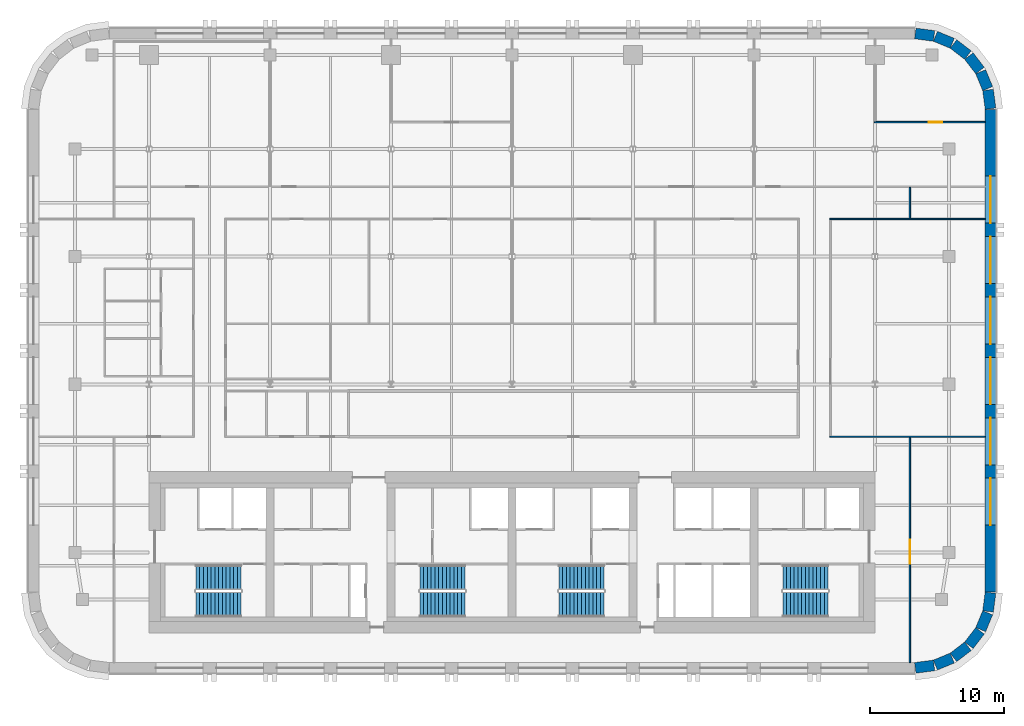
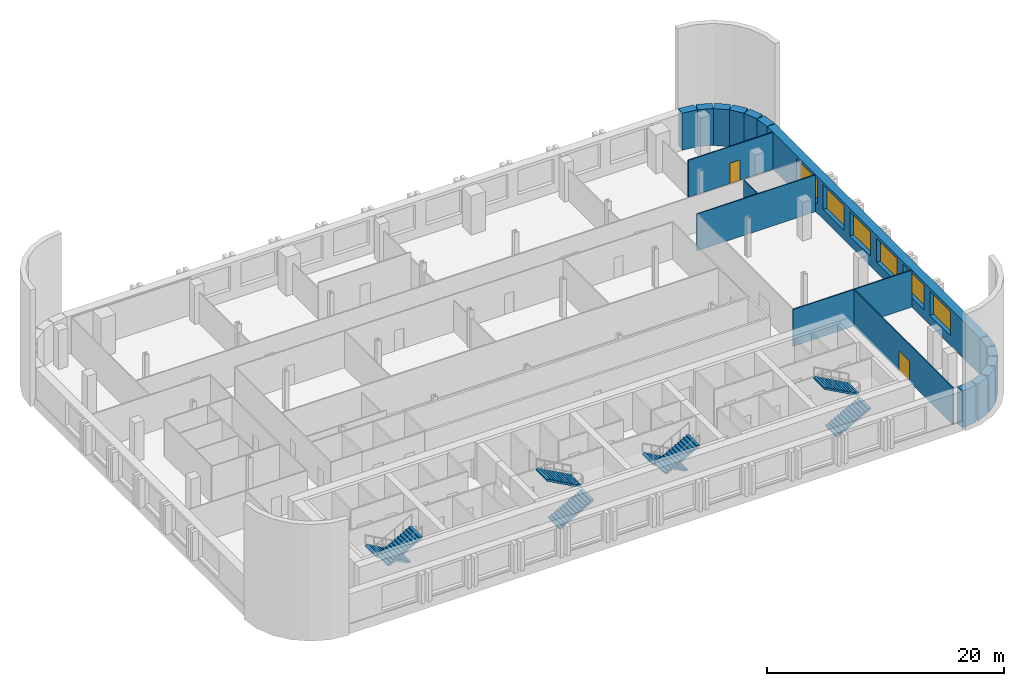
# One storey, part 7 of 9: 18 walls, 8 stair flights, 6 windows, 2 doors, 8 openings, 4 elements without a shape of their own.
"""IFC4 building model written with IfcOpenShell, lengths in metres."""

from ifc_helpers import new_model, si_unit, direction, frame, frame_2d, origin, place, context, subcontext, project, spatial, polyline, rectangle, outline, extrude, material, layer, layer_set, type_object, element, fill, aggregate, save


model = new_model("IFC4")

# Units and contexts
model_context = context("Model", 3, precision=1e-05, world=origin(), true_north=direction((0.0, 1.0)))
body_context = subcontext(model_context, "Body", "Model", "MODEL_VIEW")
ifc_project = project(units=[si_unit("LENGTHUNIT", "METRE"), si_unit("AREAUNIT", "SQUARE_METRE"), si_unit("VOLUMEUNIT", "CUBIC_METRE"), si_unit("PLANEANGLEUNIT", "RADIAN"), si_unit("MASSUNIT", "GRAM", prefix="KILO")], contexts=[model_context])

# Site, building, storey
site_placement = place(None, origin())
site = spatial("IfcSite", under=ifc_project, at=site_placement, CompositionType="ELEMENT")
building_placement = place(site_placement, origin())
building = spatial("IfcBuilding", under=site, at=building_placement, Name="Zellij Exchange Tower", CompositionType="ELEMENT")
storey_placement = place(building_placement, frame((0.0, 0.0, 176.5)))
storey = spatial("IfcBuildingStorey", under=building, at=storey_placement, Name="L40", CompositionType="ELEMENT", Elevation=176.5)

# Walls
ifc_material_1 = material(Name="Precast concrete C40/50", Category="concrete")
ifc_layer_1 = layer(ifc_material_1, 0.800048828125)
ifc_layer_set_1 = layer_set([ifc_layer_1], Name="Precast concrete C40/50")
wall_type_1 = type_object("IfcWallType", Name="ENV-EW1 Precast stone-piered wall 800", PredefinedType="SOLIDWALL", material=ifc_layer_set_1)
wall_1_placement = place(storey_placement, frame((29.999755859375, -16.5966796875, 0.0), z_axis=(0.0, 0.0, 1.0), x_axis=(0.99144603414, 0.130517283865, 0.0)))
element("IfcWall", 1, at=wall_1_placement, inside=storey, type_object=wall_type_1, Name="fac.L40.01", PredefinedType="SOLIDWALL", context=body_context, shape_type="SweptSolid", body=[
    extrude(rectangle(XDim=1.408447265625, YDim=0.800048828125, at=frame_2d((0.7041015625, 0.0))), origin(), (0.0, 0.0, 1.0), 3.800048828125),
])
wall_2_placement = place(storey_placement, frame((31.497314453125, -16.3857421875, 0.0), z_axis=(0.0, 0.0, 1.0), x_axis=(0.923847774587, 0.38276009378, 0.0)))
element("IfcWall", 2, at=wall_2_placement, inside=storey, type_object=wall_type_1, Name="fac.L40.02", PredefinedType="SOLIDWALL", context=body_context, shape_type="SweptSolid", body=[
    extrude(rectangle(XDim=1.35546875, YDim=0.800048828125, at=frame_2d((0.677734375, 0.0))), origin(), (0.0, 0.0, 1.0), 3.800048828125),
])
for number, where, z_axis, x_axis, name in (
    (3, (32.840087890625, -15.814697265625, 0.0), (0.0, 0.0, 1.0), (0.793272915452, 0.608866226366, 0.0), "fac.L40.03"),
    (4, (33.9892578125, -14.91552734375, 0.0), (0.0, 0.0, 1.0), (0.608866226366, 0.793272915452, 0.0), "fac.L40.04"),
):
    element("IfcWall", number, at=place(storey_placement, frame(where, z_axis=z_axis, x_axis=x_axis)), inside=storey, type_object=wall_type_1, Name=name, PredefinedType="SOLIDWALL", context=body_context, shape_type="SweptSolid", body=[
        extrude(rectangle(XDim=1.355712890625, YDim=0.800048828125, at=frame_2d((0.677734375, 0.0))), origin(), (0.0, 0.0, 1.0), 3.800048828125),
    ])
wall_3_placement = place(storey_placement, frame((34.866943359375, -13.74951171875, 0.0), z_axis=(0.0, 0.0, 1.0), x_axis=(0.38276009378, 0.923847774587, 0.0)))
element("IfcWall", 5, at=wall_3_placement, inside=storey, type_object=wall_type_1, Name="fac.L40.05", PredefinedType="SOLIDWALL", context=body_context, shape_type="SweptSolid", body=[
    extrude(rectangle(XDim=1.35546875, YDim=0.800048828125, at=frame_2d((0.677734375, 0.0))), origin(), (0.0, 0.0, 1.0), 3.800048828125),
])
wall_4_placement = place(storey_placement, frame((35.412841796875, -12.396240234375, 0.0), z_axis=(0.0, 0.0, 1.0), x_axis=(0.130517283865, 0.99144603414, 0.0)))
element("IfcWall", 6, at=wall_4_placement, inside=storey, type_object=wall_type_1, Name="fac.L40.06", PredefinedType="SOLIDWALL", context=body_context, shape_type="SweptSolid", body=[
    extrude(rectangle(XDim=1.408447265625, YDim=0.800048828125, at=frame_2d((0.7041015625, 0.0))), origin(), (0.0, 0.0, 1.0), 3.800048828125),
])

# Wall, openings, windows
wall_5_placement = place(storey_placement, frame((35.60009765625, -10.947509765625, 0.0), z_axis=(0.0, 0.0, 1.0), x_axis=(0.0, 1.0, 0.0)))
wall_5 = element("IfcWall", 7, at=wall_5_placement, inside=storey, type_object=wall_type_1, Name="fac.L40.07", PredefinedType="SOLIDWALL", context=body_context, shape_type="SweptSolid", body=[
    extrude(rectangle(XDim=35.89501953125, YDim=0.800048828125, at=frame_2d((17.947509765625, 0.0))), origin(), (0.0, 0.0, 1.0), 3.800048828125),
])
opening_1_placement = place(wall_5_placement, frame((4.9638671875, 0.0, 1.0)))
opening_1 = element("IfcOpeningElement", 8, at=opening_1_placement, cuts=wall_5, Name="Opening FZ3.13", PredefinedType="OPENING", context=body_context, shape_type="SweptSolid", body=[
    extrude(rectangle(XDim=3.5, YDim=2.5, at=frame_2d((1.75, 1.25))), frame((0.0, 0.412109375, 0.0), z_axis=(0.0, -1.0, 0.0), x_axis=(1.0, 0.0, 0.0)), (0.0, 0.0, 1.0), 0.823974609375),
])
opening_2_placement = place(wall_5_placement, frame((9.45751953125, 0.0, 1.0)))
opening_2 = element("IfcOpeningElement", 9, at=opening_2_placement, cuts=wall_5, Name="Opening FZ3.14", PredefinedType="OPENING", context=body_context, shape_type="SweptSolid", body=[
    extrude(rectangle(XDim=3.5, YDim=2.5, at=frame_2d((1.75, 1.25))), frame((0.0, 0.412109375, 0.0), z_axis=(0.0, -1.0, 0.0), x_axis=(1.0, 0.0, 0.0)), (0.0, 0.0, 1.0), 0.823974609375),
])
opening_3_placement = place(wall_5_placement, frame((13.950927734375, 0.0, 1.0)))
opening_3 = element("IfcOpeningElement", 10, at=opening_3_placement, cuts=wall_5, Name="Opening FZ3.15", PredefinedType="OPENING", context=body_context, shape_type="SweptSolid", body=[
    extrude(rectangle(XDim=3.5, YDim=2.5, at=frame_2d((1.75, 1.25))), frame((0.0, 0.412109375, 0.0), z_axis=(0.0, -1.0, 0.0), x_axis=(1.0, 0.0, 0.0)), (0.0, 0.0, 1.0), 0.823974609375),
])
opening_4_placement = place(wall_5_placement, frame((18.4443359375, 0.0, 1.0)))
opening_4 = element("IfcOpeningElement", 11, at=opening_4_placement, cuts=wall_5, Name="Opening FZ3.16", PredefinedType="OPENING", context=body_context, shape_type="SweptSolid", body=[
    extrude(rectangle(XDim=3.5, YDim=2.5, at=frame_2d((1.75, 1.25))), frame((0.0, 0.412109375, 0.0), z_axis=(0.0, -1.0, 0.0), x_axis=(1.0, 0.0, 0.0)), (0.0, 0.0, 1.0), 0.823974609375),
])
opening_5_placement = place(wall_5_placement, frame((22.937744140625, 0.0, 1.0)))
opening_5 = element("IfcOpeningElement", 12, at=opening_5_placement, cuts=wall_5, Name="Opening FZ3.17", PredefinedType="OPENING", context=body_context, shape_type="SweptSolid", body=[
    extrude(rectangle(XDim=3.5, YDim=2.5, at=frame_2d((1.75, 1.25))), frame((0.0, 0.412109375, 0.0), z_axis=(0.0, -1.0, 0.0), x_axis=(1.0, 0.0, 0.0)), (0.0, 0.0, 1.0), 0.823974609375),
])
opening_6_placement = place(wall_5_placement, frame((27.43115234375, 0.0, 1.0)))
opening_6 = element("IfcOpeningElement", 13, at=opening_6_placement, cuts=wall_5, Name="Opening FZ3.18", PredefinedType="OPENING", context=body_context, shape_type="SweptSolid", body=[
    extrude(rectangle(XDim=3.5, YDim=2.5, at=frame_2d((1.75, 1.25))), frame((0.0, 0.412109375, 0.0), z_axis=(0.0, -1.0, 0.0), x_axis=(1.0, 0.0, 0.0)), (0.0, 0.0, 1.0), 0.823974609375),
])
ifc_material_2 = material(Name="Aluminium frame with insulating glass", Category="aluminium")
window_type = type_object("IfcWindowType", Name="ENV-W1 Window 3500x2500", PartitioningType="SINGLE_PANEL", PredefinedType="WINDOW", material=ifc_material_2)
window_1_placement = place(opening_1_placement, origin())
window_1 = element("IfcWindow", 14, at=window_1_placement, inside=storey, type_object=window_type, Name="Window FZ3.13", OverallHeight=2.5, OverallWidth=3.5, PartitioningType="SINGLE_PANEL", PredefinedType="WINDOW", context=body_context, shape_type="SweptSolid", body=[
    extrude(rectangle(XDim=3.5, YDim=2.5, at=frame_2d((1.75, 1.25))), frame((0.0, 0.030029296875, 0.0), z_axis=(0.0, -1.0, 0.0), x_axis=(1.0, 0.0, 0.0)), (0.0, 0.0, 1.0), 0.06005859375),
])
fill(opening_1, window_1)
window_2_placement = place(opening_2_placement, origin())
window_2 = element("IfcWindow", 15, at=window_2_placement, inside=storey, type_object=window_type, Name="Window FZ3.14", OverallHeight=2.5, OverallWidth=3.5, PartitioningType="SINGLE_PANEL", PredefinedType="WINDOW", context=body_context, shape_type="SweptSolid", body=[
    extrude(rectangle(XDim=3.5, YDim=2.5, at=frame_2d((1.75, 1.25))), frame((0.0, 0.030029296875, 0.0), z_axis=(0.0, -1.0, 0.0), x_axis=(1.0, 0.0, 0.0)), (0.0, 0.0, 1.0), 0.06005859375),
])
fill(opening_2, window_2)
window_3_placement = place(opening_3_placement, origin())
window_3 = element("IfcWindow", 16, at=window_3_placement, inside=storey, type_object=window_type, Name="Window FZ3.15", OverallHeight=2.5, OverallWidth=3.5, PartitioningType="SINGLE_PANEL", PredefinedType="WINDOW", context=body_context, shape_type="SweptSolid", body=[
    extrude(rectangle(XDim=3.5, YDim=2.5, at=frame_2d((1.75, 1.25))), frame((0.0, 0.030029296875, 0.0), z_axis=(0.0, -1.0, 0.0), x_axis=(1.0, 0.0, 0.0)), (0.0, 0.0, 1.0), 0.06005859375),
])
fill(opening_3, window_3)
window_4_placement = place(opening_4_placement, origin())
window_4 = element("IfcWindow", 17, at=window_4_placement, inside=storey, type_object=window_type, Name="Window FZ3.16", OverallHeight=2.5, OverallWidth=3.5, PartitioningType="SINGLE_PANEL", PredefinedType="WINDOW", context=body_context, shape_type="SweptSolid", body=[
    extrude(rectangle(XDim=3.5, YDim=2.5, at=frame_2d((1.75, 1.25))), frame((0.0, 0.030029296875, 0.0), z_axis=(0.0, -1.0, 0.0), x_axis=(1.0, 0.0, 0.0)), (0.0, 0.0, 1.0), 0.06005859375),
])
fill(opening_4, window_4)
window_5_placement = place(opening_5_placement, origin())
window_5 = element("IfcWindow", 18, at=window_5_placement, inside=storey, type_object=window_type, Name="Window FZ3.17", OverallHeight=2.5, OverallWidth=3.5, PartitioningType="SINGLE_PANEL", PredefinedType="WINDOW", context=body_context, shape_type="SweptSolid", body=[
    extrude(rectangle(XDim=3.5, YDim=2.5, at=frame_2d((1.75, 1.25))), frame((0.0, 0.030029296875, 0.0), z_axis=(0.0, -1.0, 0.0), x_axis=(1.0, 0.0, 0.0)), (0.0, 0.0, 1.0), 0.06005859375),
])
fill(opening_5, window_5)
window_6_placement = place(opening_6_placement, origin())
window_6 = element("IfcWindow", 19, at=window_6_placement, inside=storey, type_object=window_type, Name="Window FZ3.18", OverallHeight=2.5, OverallWidth=3.5, PartitioningType="SINGLE_PANEL", PredefinedType="WINDOW", context=body_context, shape_type="SweptSolid", body=[
    extrude(rectangle(XDim=3.5, YDim=2.5, at=frame_2d((1.75, 1.25))), frame((0.0, 0.030029296875, 0.0), z_axis=(0.0, -1.0, 0.0), x_axis=(1.0, 0.0, 0.0)), (0.0, 0.0, 1.0), 0.06005859375),
])
fill(opening_6, window_6)

# Walls
wall_6_placement = place(storey_placement, frame((35.5966796875, 24.999755859375, 0.0), z_axis=(0.0, 0.0, 1.0), x_axis=(-0.130517283865, 0.99144603414, 0.0)))
element("IfcWall", 20, at=wall_6_placement, inside=storey, type_object=wall_type_1, Name="fac.L40.08", PredefinedType="SOLIDWALL", context=body_context, shape_type="SweptSolid", body=[
    extrude(rectangle(XDim=1.408447265625, YDim=0.800048828125, at=frame_2d((0.7041015625, 0.0))), origin(), (0.0, 0.0, 1.0), 3.800048828125),
])
wall_7_placement = place(storey_placement, frame((35.3857421875, 26.497314453125, 0.0), z_axis=(0.0, 0.0, 1.0), x_axis=(-0.38276009378, 0.923847774587, 0.0)))
element("IfcWall", 21, at=wall_7_placement, inside=storey, type_object=wall_type_1, Name="fac.L40.09", PredefinedType="SOLIDWALL", context=body_context, shape_type="SweptSolid", body=[
    extrude(rectangle(XDim=1.35546875, YDim=0.800048828125, at=frame_2d((0.677734375, 0.0))), origin(), (0.0, 0.0, 1.0), 3.800048828125),
])
for number, where, z_axis, x_axis, name in (
    (22, (34.814697265625, 27.840087890625, 0.0), (0.0, 0.0, 1.0), (-0.608866226366, 0.793272915452, 0.0), "fac.L40.10"),
    (23, (33.91552734375, 28.9892578125, 0.0), (0.0, 0.0, 1.0), (-0.793272915452, 0.608866226366, 0.0), "fac.L40.11"),
):
    element("IfcWall", number, at=place(storey_placement, frame(where, z_axis=z_axis, x_axis=x_axis)), inside=storey, type_object=wall_type_1, Name=name, PredefinedType="SOLIDWALL", context=body_context, shape_type="SweptSolid", body=[
        extrude(rectangle(XDim=1.355712890625, YDim=0.800048828125, at=frame_2d((0.677734375, 0.0))), origin(), (0.0, 0.0, 1.0), 3.800048828125),
    ])
wall_8_placement = place(storey_placement, frame((32.74951171875, 29.866943359375, 0.0), z_axis=(0.0, 0.0, 1.0), x_axis=(-0.923847774587, 0.38276009378, 0.0)))
element("IfcWall", 24, at=wall_8_placement, inside=storey, type_object=wall_type_1, Name="fac.L40.12", PredefinedType="SOLIDWALL", context=body_context, shape_type="SweptSolid", body=[
    extrude(rectangle(XDim=1.35546875, YDim=0.800048828125, at=frame_2d((0.677734375, 0.0))), origin(), (0.0, 0.0, 1.0), 3.800048828125),
])
wall_9_placement = place(storey_placement, frame((31.396240234375, 30.412841796875, 0.0), z_axis=(0.0, 0.0, 1.0), x_axis=(-0.99144603414, 0.130517283865, 0.0)))
element("IfcWall", 25, at=wall_9_placement, inside=storey, type_object=wall_type_1, Name="fac.L40.13", PredefinedType="SOLIDWALL", context=body_context, shape_type="SweptSolid", body=[
    extrude(rectangle(XDim=1.408447265625, YDim=0.800048828125, at=frame_2d((0.7041015625, 0.0))), origin(), (0.0, 0.0, 1.0), 3.800048828125),
])

# Wall, opening, door
ifc_material_3 = material(Name="Gypsum board partition on steel studs", Category="steel")
ifc_layer_2 = layer(ifc_material_3, 0.10009765625)
ifc_layer_set_2 = layer_set([ifc_layer_2], Name="Gypsum board partition on steel studs")
wall_type_2 = type_object("IfcWallType", Name="FIT-PARTITION-100", PredefinedType="PARTITIONING", material=ifc_layer_set_2)
wall_10_placement = place(storey_placement, frame((29.60009765625, -16.199951171875, 0.0), z_axis=(0.0, 0.0, 1.0), x_axis=(0.0, 1.0, 0.0)))
wall_10 = element("IfcWall", 26, at=wall_10_placement, inside=storey, type_object=wall_type_2, Name="FIT-PARTITION-100 002", PredefinedType="PARTITIONING", context=body_context, shape_type="SweptSolid", body=[
    extrude(rectangle(XDim=16.75, YDim=0.10009765625, at=frame_2d((8.375, 0.0))), origin(), (0.0, 0.0, 1.0), 3.800048828125),
])
opening_7_placement = place(wall_10_placement, frame((7.35009765625, 0.0, 0.0)))
opening_7 = element("IfcOpeningElement", 27, at=opening_7_placement, cuts=wall_10, Name="Opening O3B.02", PredefinedType="OPENING", context=body_context, shape_type="SweptSolid", body=[
    extrude(rectangle(XDim=1.800048828125, YDim=2.10009765625, at=frame_2d((0.89990234375, 1.050048828125))), frame((0.0, 0.06201171875, 0.0), z_axis=(0.0, -1.0, 0.0), x_axis=(1.0, 0.0, 0.0)), (0.0, 0.0, 1.0), 0.1240234375),
])
ifc_material_4 = material(Name="Timber door set", Category="wood")
door_type_1 = type_object("IfcDoorType", Name="FIT-D3-DOUBLE-1800X2100", OperationType="DOUBLE_DOOR_SINGLE_SWING", PredefinedType="DOOR", material=ifc_material_4)
door_1_placement = place(opening_7_placement, origin())
door_1 = element("IfcDoor", 28, at=door_1_placement, inside=storey, type_object=door_type_1, Name="Door O3B.02", OperationType="DOUBLE_DOOR_SINGLE_SWING", OverallHeight=2.10009765625, OverallWidth=1.800048828125, PredefinedType="DOOR", context=body_context, shape_type="SweptSolid", body=[
    extrude(rectangle(XDim=1.800048828125, YDim=2.10009765625, at=frame_2d((0.89990234375, 1.050048828125))), frame((0.0, 0.02490234375, 0.0), z_axis=(0.0, -1.0, 0.0), x_axis=(1.0, 0.0, 0.0)), (0.0, 0.0, 1.0), 0.050048828125),
])
fill(opening_7, door_1)

# Walls
for number, where, z_axis, x_axis, name in (
    (29, (23.64990234375, 0.60009765625, 0.0), (0.0, 0.0, 1.0), (1.0, 0.0, 0.0), "FIT-PARTITION-100 013"),
    (30, (23.64990234375, 16.800048828125, 0.0), (0.0, 0.0, 1.0), (1.0, 0.0, 0.0), "FIT-PARTITION-100 035"),
):
    element("IfcWall", number, at=place(storey_placement, frame(where, z_axis=z_axis, x_axis=x_axis)), inside=storey, type_object=wall_type_2, Name=name, PredefinedType="PARTITIONING", context=body_context, shape_type="SweptSolid", body=[
        extrude(rectangle(XDim=11.550048828125, YDim=0.10009765625, at=frame_2d((5.77490234375, 0.0))), origin(), (0.0, 0.0, 1.0), 3.800048828125),
    ])
wall_11_placement = place(storey_placement, frame((29.60009765625, 16.85009765625, 0.0), z_axis=(0.0, 0.0, 1.0), x_axis=(0.0, 1.0, 0.0)))
element("IfcWall", 31, at=wall_11_placement, inside=storey, type_object=wall_type_2, Name="FIT-PARTITION-100 036", PredefinedType="PARTITIONING", context=body_context, shape_type="SweptSolid", body=[
    extrude(rectangle(XDim=2.2998046875, YDim=0.10009765625, at=frame_2d((1.14990234375, 0.0))), origin(), (0.0, 0.0, 1.0), 3.800048828125),
])

# Wall, opening, door
wall_12_placement = place(storey_placement, frame((26.949951171875, 24.0, 0.0), z_axis=(0.0, 0.0, 1.0), x_axis=(1.0, 0.0, 0.0)))
wall_12 = element("IfcWall", 32, at=wall_12_placement, inside=storey, type_object=wall_type_2, Name="FIT-PARTITION-100 050", PredefinedType="PARTITIONING", context=body_context, shape_type="SweptSolid", body=[
    extrude(rectangle(XDim=8.25, YDim=0.10009765625, at=frame_2d((4.125, 0.0))), origin(), (0.0, 0.0, 1.0), 3.800048828125),
])
opening_8_placement = place(wall_12_placement, frame((4.050048828125, 0.0, 0.0)))
opening_8 = element("IfcOpeningElement", 33, at=opening_8_placement, cuts=wall_12, Name="Opening O3B.24", PredefinedType="OPENING", context=body_context, shape_type="SweptSolid", body=[
    extrude(rectangle(XDim=1.0, YDim=2.10009765625, at=frame_2d((0.5, 1.050048828125))), frame((0.0, 0.06201171875, 0.0), z_axis=(0.0, -1.0, 0.0), x_axis=(1.0, 0.0, 0.0)), (0.0, 0.0, 1.0), 0.1240234375),
])
door_type_2 = type_object("IfcDoorType", Name="FIT-D2-WIDE-1000X2100", OperationType="SINGLE_SWING_LEFT", PredefinedType="DOOR", material=ifc_material_4)
door_2_placement = place(opening_8_placement, origin())
door_2 = element("IfcDoor", 34, at=door_2_placement, inside=storey, type_object=door_type_2, Name="Door O3B.24", OperationType="SINGLE_SWING_LEFT", OverallHeight=2.10009765625, OverallWidth=1.0, PredefinedType="DOOR", context=body_context, shape_type="SweptSolid", body=[
    extrude(rectangle(XDim=1.0, YDim=2.10009765625, at=frame_2d((0.5, 1.050048828125))), frame((0.0, 0.02490234375, 0.0), z_axis=(0.0, -1.0, 0.0), x_axis=(1.0, 0.0, 0.0)), (0.0, 0.0, 1.0), 0.050048828125),
])
fill(opening_8, door_2)

# Stair, stair flights
ifc_material_5 = material(Name="Concrete C40/50", Category="concrete")
stair_type = type_object("IfcStairType", Name="CORE-ST exit stair 1850 wide", PredefinedType="HALF_TURN_STAIR", material=ifc_material_5)
stair_1_placement = place(storey_placement, origin())
stair_1 = element("IfcStair", 35, at=stair_1_placement, inside=storey, type_object=stair_type, Name="L40 exit stair ST1", PredefinedType="HALF_TURN_STAIR")
stair_flight_type = type_object("IfcStairFlightType", Name="CORE-SF flight 1850 riser 153.8 going 280", PredefinedType="STRAIGHT", material=ifc_material_5)
stair_flight_1_placement = place(storey_placement, frame((-20.14990234375, -9.875, 0.0), z_axis=(0.0, 0.0, 1.0), x_axis=(-1.0, 0.0, 0.0)))
stair_flight_1 = element("IfcStairFlight", 36, at=stair_flight_1_placement, type_object=stair_flight_type, Name="ST1 flight 1", NumberOfRisers=13, NumberOfTreads=12, PredefinedType="STRAIGHT", RiserHeight=0.153846154, TreadLength=0.28, context=body_context, shape_type="SweptSolid", body=[
    extrude(outline(polyline([(0.0, 0.0), (0.0, 0.15380859375), (0.280029296875, 0.15380859375), (0.280029296875, 0.3076171875), (0.56005859375, 0.3076171875), (0.56005859375, 0.46142578125), (0.840087890625, 0.46142578125), (0.840087890625, 0.615478515625), (1.1201171875, 0.615478515625), (1.1201171875, 0.769287109375), (1.39990234375, 0.769287109375), (1.39990234375, 0.923095703125), (1.679931640625, 0.923095703125), (1.679931640625, 1.076904296875), (1.9599609375, 1.076904296875), (1.9599609375, 1.230712890625), (2.239990234375, 1.230712890625), (2.239990234375, 1.384521484375), (2.52001953125, 1.384521484375), (2.52001953125, 1.53857421875), (2.800048828125, 1.53857421875), (2.800048828125, 1.6923828125), (3.080078125, 1.6923828125), (3.080078125, 1.84619140625), (3.360107421875, 1.84619140625), (3.360107421875, 2.0), (3.360107421875, 1.675048828125), (0.311279296875, 0.0), (0.0, 0.0)])), frame((0.0, 0.925048828125, 0.0), z_axis=(0.0, -1.0, 0.0), x_axis=(1.0, 0.0, 0.0)), (0.0, 0.0, 1.0), 1.85009765625),
])
stair_flight_2_placement = place(storey_placement, frame((-23.510009765625, -11.875, 2.0), z_axis=(0.0, 0.0, 1.0), x_axis=(1.0, 0.0, 0.0)))
stair_flight_2 = element("IfcStairFlight", 37, at=stair_flight_2_placement, type_object=stair_flight_type, Name="ST1 flight 2", NumberOfRisers=13, NumberOfTreads=12, PredefinedType="STRAIGHT", RiserHeight=0.153846154, TreadLength=0.28, context=body_context, shape_type="SweptSolid", body=[
    extrude(outline(polyline([(0.0, 0.0), (0.0, 0.15380859375), (0.280029296875, 0.15380859375), (0.280029296875, 0.3076171875), (0.56005859375, 0.3076171875), (0.56005859375, 0.46142578125), (0.840087890625, 0.46142578125), (0.840087890625, 0.615478515625), (1.1201171875, 0.615478515625), (1.1201171875, 0.769287109375), (1.39990234375, 0.769287109375), (1.39990234375, 0.923095703125), (1.679931640625, 0.923095703125), (1.679931640625, 1.076904296875), (1.9599609375, 1.076904296875), (1.9599609375, 1.230712890625), (2.239990234375, 1.230712890625), (2.239990234375, 1.384521484375), (2.52001953125, 1.384521484375), (2.52001953125, 1.53857421875), (2.800048828125, 1.53857421875), (2.800048828125, 1.6923828125), (3.080078125, 1.6923828125), (3.080078125, 1.84619140625), (3.360107421875, 1.84619140625), (3.360107421875, 2.0), (3.360107421875, 1.675048828125), (0.311279296875, 0.0), (0.0, 0.0)])), frame((0.0, 0.925048828125, 0.0), z_axis=(0.0, -1.0, 0.0), x_axis=(1.0, 0.0, 0.0)), (0.0, 0.0, 1.0), 1.85009765625),
])
aggregate(stair_1, [stair_flight_1, stair_flight_2])

stair_2_placement = place(storey_placement, origin())
stair_2 = element("IfcStair", 38, at=stair_2_placement, inside=storey, type_object=stair_type, Name="L40 exit stair ST2", PredefinedType="HALF_TURN_STAIR")
stair_flight_3_placement = place(storey_placement, frame((-6.85009765625, -11.875, 0.0), z_axis=(0.0, 0.0, 1.0), x_axis=(1.0, 0.0, 0.0)))
stair_flight_3 = element("IfcStairFlight", 39, at=stair_flight_3_placement, type_object=stair_flight_type, Name="ST2 flight 1", NumberOfRisers=13, NumberOfTreads=12, PredefinedType="STRAIGHT", RiserHeight=0.153846154, TreadLength=0.28, context=body_context, shape_type="SweptSolid", body=[
    extrude(outline(polyline([(0.0, 0.0), (0.0, 0.15380859375), (0.280029296875, 0.15380859375), (0.280029296875, 0.3076171875), (0.56005859375, 0.3076171875), (0.56005859375, 0.46142578125), (0.840087890625, 0.46142578125), (0.840087890625, 0.615478515625), (1.1201171875, 0.615478515625), (1.1201171875, 0.769287109375), (1.39990234375, 0.769287109375), (1.39990234375, 0.923095703125), (1.679931640625, 0.923095703125), (1.679931640625, 1.076904296875), (1.9599609375, 1.076904296875), (1.9599609375, 1.230712890625), (2.239990234375, 1.230712890625), (2.239990234375, 1.384521484375), (2.52001953125, 1.384521484375), (2.52001953125, 1.53857421875), (2.800048828125, 1.53857421875), (2.800048828125, 1.6923828125), (3.080078125, 1.6923828125), (3.080078125, 1.84619140625), (3.360107421875, 1.84619140625), (3.360107421875, 2.0), (3.360107421875, 1.675048828125), (0.311279296875, 0.0), (0.0, 0.0)])), frame((0.0, 0.925048828125, 0.0), z_axis=(0.0, -1.0, 0.0), x_axis=(1.0, 0.0, 0.0)), (0.0, 0.0, 1.0), 1.85009765625),
])
stair_flight_4_placement = place(storey_placement, frame((-3.489990234375, -9.875, 2.0), z_axis=(0.0, 0.0, 1.0), x_axis=(-1.0, 0.0, 0.0)))
stair_flight_4 = element("IfcStairFlight", 40, at=stair_flight_4_placement, type_object=stair_flight_type, Name="ST2 flight 2", NumberOfRisers=13, NumberOfTreads=12, PredefinedType="STRAIGHT", RiserHeight=0.153846154, TreadLength=0.28, context=body_context, shape_type="SweptSolid", body=[
    extrude(outline(polyline([(0.0, 0.0), (0.0, 0.15380859375), (0.280029296875, 0.15380859375), (0.280029296875, 0.3076171875), (0.56005859375, 0.3076171875), (0.56005859375, 0.46142578125), (0.840087890625, 0.46142578125), (0.840087890625, 0.615478515625), (1.1201171875, 0.615478515625), (1.1201171875, 0.769287109375), (1.39990234375, 0.769287109375), (1.39990234375, 0.923095703125), (1.679931640625, 0.923095703125), (1.679931640625, 1.076904296875), (1.9599609375, 1.076904296875), (1.9599609375, 1.230712890625), (2.239990234375, 1.230712890625), (2.239990234375, 1.384521484375), (2.52001953125, 1.384521484375), (2.52001953125, 1.53857421875), (2.800048828125, 1.53857421875), (2.800048828125, 1.6923828125), (3.080078125, 1.6923828125), (3.080078125, 1.84619140625), (3.360107421875, 1.84619140625), (3.360107421875, 2.0), (3.360107421875, 1.675048828125), (0.311279296875, 0.0), (0.0, 0.0)])), frame((0.0, 0.925048828125, 0.0), z_axis=(0.0, -1.0, 0.0), x_axis=(1.0, 0.0, 0.0)), (0.0, 0.0, 1.0), 1.85009765625),
])
aggregate(stair_2, [stair_flight_3, stair_flight_4])

stair_3_placement = place(storey_placement, origin())
stair_3 = element("IfcStair", 41, at=stair_3_placement, inside=storey, type_object=stair_type, Name="L40 exit stair ST3", PredefinedType="HALF_TURN_STAIR")
stair_flight_5_placement = place(storey_placement, frame((6.85009765625, -9.875, 0.0), z_axis=(0.0, 0.0, 1.0), x_axis=(-1.0, 0.0, 0.0)))
stair_flight_5 = element("IfcStairFlight", 42, at=stair_flight_5_placement, type_object=stair_flight_type, Name="ST3 flight 1", NumberOfRisers=13, NumberOfTreads=12, PredefinedType="STRAIGHT", RiserHeight=0.153846154, TreadLength=0.28, context=body_context, shape_type="SweptSolid", body=[
    extrude(outline(polyline([(0.0, 0.0), (0.0, 0.15380859375), (0.280029296875, 0.15380859375), (0.280029296875, 0.3076171875), (0.56005859375, 0.3076171875), (0.56005859375, 0.46142578125), (0.840087890625, 0.46142578125), (0.840087890625, 0.615478515625), (1.1201171875, 0.615478515625), (1.1201171875, 0.769287109375), (1.39990234375, 0.769287109375), (1.39990234375, 0.923095703125), (1.679931640625, 0.923095703125), (1.679931640625, 1.076904296875), (1.9599609375, 1.076904296875), (1.9599609375, 1.230712890625), (2.239990234375, 1.230712890625), (2.239990234375, 1.384521484375), (2.52001953125, 1.384521484375), (2.52001953125, 1.53857421875), (2.800048828125, 1.53857421875), (2.800048828125, 1.6923828125), (3.080078125, 1.6923828125), (3.080078125, 1.84619140625), (3.360107421875, 1.84619140625), (3.360107421875, 2.0), (3.360107421875, 1.675048828125), (0.311279296875, 0.0), (0.0, 0.0)])), frame((0.0, 0.925048828125, 0.0), z_axis=(0.0, -1.0, 0.0), x_axis=(1.0, 0.0, 0.0)), (0.0, 0.0, 1.0), 1.85009765625),
])
stair_flight_6_placement = place(storey_placement, frame((3.489990234375, -11.875, 2.0), z_axis=(0.0, 0.0, 1.0), x_axis=(1.0, 0.0, 0.0)))
stair_flight_6 = element("IfcStairFlight", 43, at=stair_flight_6_placement, type_object=stair_flight_type, Name="ST3 flight 2", NumberOfRisers=13, NumberOfTreads=12, PredefinedType="STRAIGHT", RiserHeight=0.153846154, TreadLength=0.28, context=body_context, shape_type="SweptSolid", body=[
    extrude(outline(polyline([(0.0, 0.0), (0.0, 0.15380859375), (0.280029296875, 0.15380859375), (0.280029296875, 0.3076171875), (0.56005859375, 0.3076171875), (0.56005859375, 0.46142578125), (0.840087890625, 0.46142578125), (0.840087890625, 0.615478515625), (1.1201171875, 0.615478515625), (1.1201171875, 0.769287109375), (1.39990234375, 0.769287109375), (1.39990234375, 0.923095703125), (1.679931640625, 0.923095703125), (1.679931640625, 1.076904296875), (1.9599609375, 1.076904296875), (1.9599609375, 1.230712890625), (2.239990234375, 1.230712890625), (2.239990234375, 1.384521484375), (2.52001953125, 1.384521484375), (2.52001953125, 1.53857421875), (2.800048828125, 1.53857421875), (2.800048828125, 1.6923828125), (3.080078125, 1.6923828125), (3.080078125, 1.84619140625), (3.360107421875, 1.84619140625), (3.360107421875, 2.0), (3.360107421875, 1.675048828125), (0.311279296875, 0.0), (0.0, 0.0)])), frame((0.0, 0.925048828125, 0.0), z_axis=(0.0, -1.0, 0.0), x_axis=(1.0, 0.0, 0.0)), (0.0, 0.0, 1.0), 1.85009765625),
])
aggregate(stair_3, [stair_flight_5, stair_flight_6])

stair_4_placement = place(storey_placement, origin())
stair_4 = element("IfcStair", 44, at=stair_4_placement, inside=storey, type_object=stair_type, Name="L40 exit stair ST4", PredefinedType="HALF_TURN_STAIR")
stair_flight_7_placement = place(storey_placement, frame((20.14990234375, -11.875, 0.0), z_axis=(0.0, 0.0, 1.0), x_axis=(1.0, 0.0, 0.0)))
stair_flight_7 = element("IfcStairFlight", 45, at=stair_flight_7_placement, type_object=stair_flight_type, Name="ST4 flight 1", NumberOfRisers=13, NumberOfTreads=12, PredefinedType="STRAIGHT", RiserHeight=0.153846154, TreadLength=0.28, context=body_context, shape_type="SweptSolid", body=[
    extrude(outline(polyline([(0.0, 0.0), (0.0, 0.15380859375), (0.280029296875, 0.15380859375), (0.280029296875, 0.3076171875), (0.56005859375, 0.3076171875), (0.56005859375, 0.46142578125), (0.840087890625, 0.46142578125), (0.840087890625, 0.615478515625), (1.1201171875, 0.615478515625), (1.1201171875, 0.769287109375), (1.39990234375, 0.769287109375), (1.39990234375, 0.923095703125), (1.679931640625, 0.923095703125), (1.679931640625, 1.076904296875), (1.9599609375, 1.076904296875), (1.9599609375, 1.230712890625), (2.239990234375, 1.230712890625), (2.239990234375, 1.384521484375), (2.52001953125, 1.384521484375), (2.52001953125, 1.53857421875), (2.800048828125, 1.53857421875), (2.800048828125, 1.6923828125), (3.080078125, 1.6923828125), (3.080078125, 1.84619140625), (3.360107421875, 1.84619140625), (3.360107421875, 2.0), (3.360107421875, 1.675048828125), (0.311279296875, 0.0), (0.0, 0.0)])), frame((0.0, 0.925048828125, 0.0), z_axis=(0.0, -1.0, 0.0), x_axis=(1.0, 0.0, 0.0)), (0.0, 0.0, 1.0), 1.85009765625),
])
stair_flight_8_placement = place(storey_placement, frame((23.510009765625, -9.875, 2.0), z_axis=(0.0, 0.0, 1.0), x_axis=(-1.0, 0.0, 0.0)))
stair_flight_8 = element("IfcStairFlight", 46, at=stair_flight_8_placement, type_object=stair_flight_type, Name="ST4 flight 2", NumberOfRisers=13, NumberOfTreads=12, PredefinedType="STRAIGHT", RiserHeight=0.153846154, TreadLength=0.28, context=body_context, shape_type="SweptSolid", body=[
    extrude(outline(polyline([(0.0, 0.0), (0.0, 0.15380859375), (0.280029296875, 0.15380859375), (0.280029296875, 0.3076171875), (0.56005859375, 0.3076171875), (0.56005859375, 0.46142578125), (0.840087890625, 0.46142578125), (0.840087890625, 0.615478515625), (1.1201171875, 0.615478515625), (1.1201171875, 0.769287109375), (1.39990234375, 0.769287109375), (1.39990234375, 0.923095703125), (1.679931640625, 0.923095703125), (1.679931640625, 1.076904296875), (1.9599609375, 1.076904296875), (1.9599609375, 1.230712890625), (2.239990234375, 1.230712890625), (2.239990234375, 1.384521484375), (2.52001953125, 1.384521484375), (2.52001953125, 1.53857421875), (2.800048828125, 1.53857421875), (2.800048828125, 1.6923828125), (3.080078125, 1.6923828125), (3.080078125, 1.84619140625), (3.360107421875, 1.84619140625), (3.360107421875, 2.0), (3.360107421875, 1.675048828125), (0.311279296875, 0.0), (0.0, 0.0)])), frame((0.0, 0.925048828125, 0.0), z_axis=(0.0, -1.0, 0.0), x_axis=(1.0, 0.0, 0.0)), (0.0, 0.0, 1.0), 1.85009765625),
])
aggregate(stair_4, [stair_flight_7, stair_flight_8])

save(model, "model.ifc")
